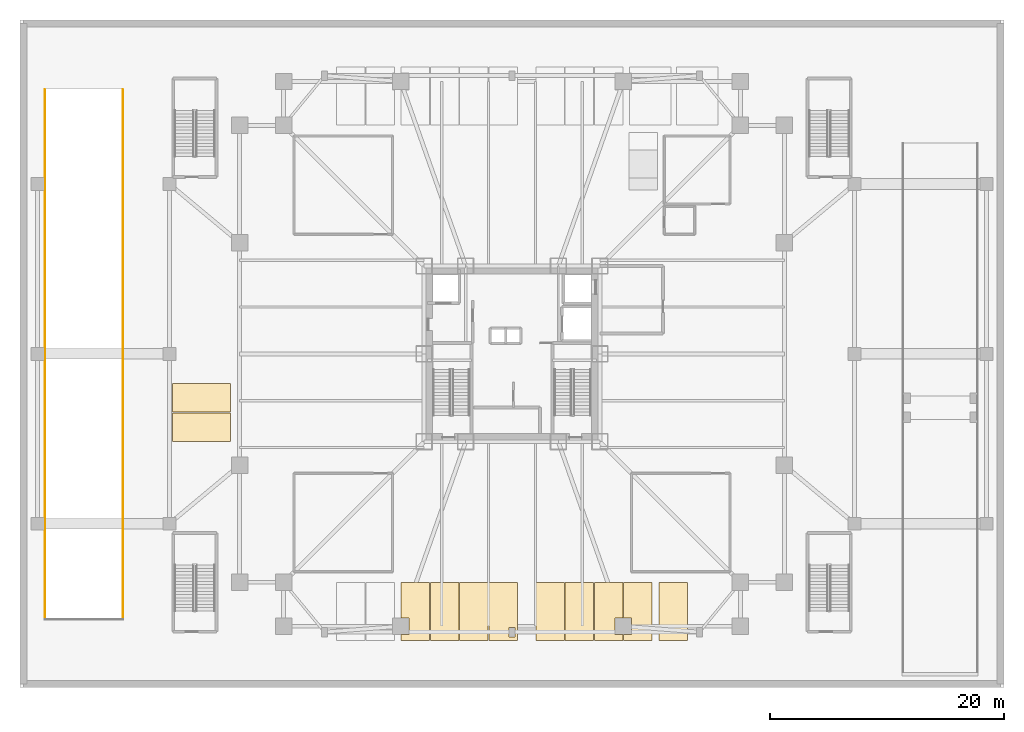
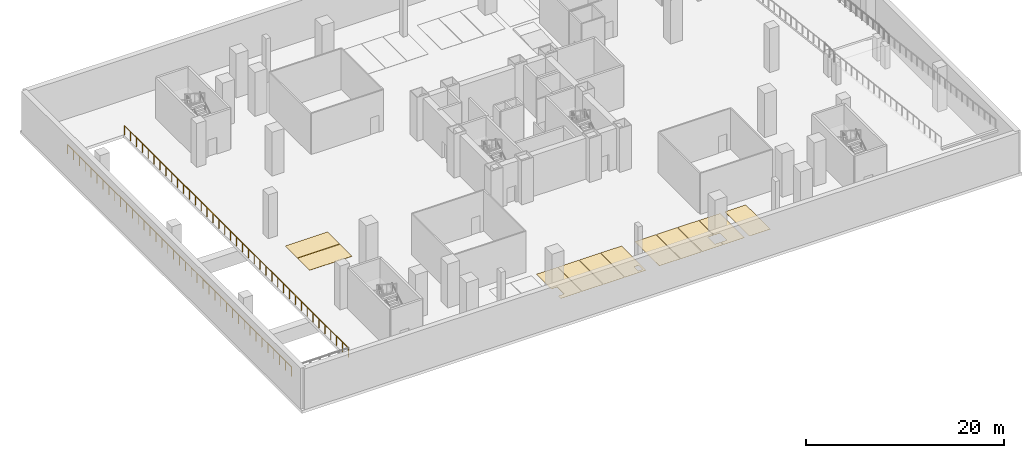
# One storey, part 9 of 14: 11 coverings, 2 railings.
"""IFC4 building model written with IfcOpenShell, lengths in metres."""

from ifc_helpers import new_model, si_unit, direction, frame, origin, origin_2d, place, context, subcontext, project, spatial, polyline, circle, outline, extrude, material, layer, layer_set, type_object, element, save


model = new_model("IFC4")

# Units and contexts
model_context = context("Model", 3, precision=1e-05, world=origin(), true_north=direction((0.0, 1.0)))
body_context = subcontext(model_context, "Body", "Model", "MODEL_VIEW")
ifc_project = project(units=[si_unit("LENGTHUNIT", "METRE"), si_unit("AREAUNIT", "SQUARE_METRE"), si_unit("VOLUMEUNIT", "CUBIC_METRE"), si_unit("PLANEANGLEUNIT", "RADIAN"), si_unit("MASSUNIT", "GRAM", prefix="KILO")], contexts=[model_context])

# Site, building, storey
site_placement = place(None, origin())
site = spatial("IfcSite", under=ifc_project, at=site_placement, CompositionType="ELEMENT")
building_placement = place(site_placement, origin())
building = spatial("IfcBuilding", under=site, at=building_placement, Name="Trevonay Congress Spire", CompositionType="ELEMENT")
storey_placement = place(building_placement, frame((0.0, 0.0, -5.39990234375)))
storey = spatial("IfcBuildingStorey", under=building, at=storey_placement, Name="B1", CompositionType="ELEMENT", Elevation=-5.39990234375)

# Coverings
ifc_material_1 = material(Name="Polished Granite Floor Tile", Category="masonry")
ifc_layer = layer(ifc_material_1, 0.02001953125, Name="Polished Granite Floor Tile")
ifc_layer_set = layer_set([ifc_layer], Name="Polished Granite Floor Tile")
covering_type = type_object("IfcCoveringType", Name="COV-FLOOR-STONE", PredefinedType="FLOORING", material=ifc_layer_set)
covering_1_placement = place(storey_placement, origin())
element("IfcCovering", 1, at=covering_1_placement, inside=storey, type_object=covering_type, Name="B1 Standard Parking Bay PK-27 floor finish", PredefinedType="FLOORING", context=body_context, shape_type="SweptSolid", body=[
    extrude(outline(polyline([(-9.469970703125, -19.530029296875), (-7.030029296875, -19.530029296875), (-7.030029296875, -24.469970703125), (-9.469970703125, -24.469970703125), (-9.469970703125, -23.9599609375), (-8.7900390625, -23.9599609375), (-8.7900390625, -22.5400390625), (-9.469970703125, -22.5400390625), (-9.469970703125, -19.530029296875)])), origin(), (0.0, 0.0, 1.0), 0.02001953125),
])
covering_2_placement = place(storey_placement, origin())
element("IfcCovering", 2, at=covering_2_placement, inside=storey, type_object=covering_type, Name="B1 Standard Parking Bay PK-28 floor finish", PredefinedType="FLOORING", context=body_context, shape_type="SweptSolid", body=[
    extrude(outline(polyline([(-6.969970703125, -24.469970703125), (-4.530029296875, -24.469970703125), (-4.530029296875, -19.530029296875), (-6.969970703125, -19.530029296875), (-6.969970703125, -24.469970703125)])), origin(), (0.0, 0.0, 1.0), 0.02001953125),
])
covering_3_placement = place(storey_placement, origin())
element("IfcCovering", 3, at=covering_3_placement, inside=storey, type_object=covering_type, Name="B1 Standard Parking Bay PK-29 floor finish", PredefinedType="FLOORING", context=body_context, shape_type="SweptSolid", body=[
    extrude(outline(polyline([(-4.469970703125, -24.469970703125), (-2.030029296875, -24.469970703125), (-2.030029296875, -19.530029296875), (-4.469970703125, -19.530029296875), (-4.469970703125, -24.469970703125)])), origin(), (0.0, 0.0, 1.0), 0.02001953125),
])
covering_4_placement = place(storey_placement, origin())
element("IfcCovering", 4, at=covering_4_placement, inside=storey, type_object=covering_type, Name="B1 Standard Parking Bay PK-30 floor finish", PredefinedType="FLOORING", context=body_context, shape_type="SweptSolid", body=[
    extrude(outline(polyline([(-1.969970703125, -19.530029296875), (0.469970703125, -19.530029296875), (0.469970703125, -24.469970703125), (-1.969970703125, -24.469970703125), (-1.969970703125, -19.530029296875)]), holes=[polyline([(0.260009765625, -24.159912109375), (0.260009765625, -23.340087890625), (-0.260009765625, -23.340087890625), (-0.260009765625, -24.159912109375), (0.260009765625, -24.159912109375)])]), origin(), (0.0, 0.0, 1.0), 0.02001953125),
])
covering_5_placement = place(storey_placement, origin())
element("IfcCovering", 5, at=covering_5_placement, inside=storey, type_object=covering_type, Name="B1 Standard Parking Bay PK-31 floor finish", PredefinedType="FLOORING", context=body_context, shape_type="SweptSolid", body=[
    extrude(outline(polyline([(2.030029296875, -24.469970703125), (4.469970703125, -24.469970703125), (4.469970703125, -19.530029296875), (2.030029296875, -19.530029296875), (2.030029296875, -24.469970703125)])), origin(), (0.0, 0.0, 1.0), 0.02001953125),
])
covering_6_placement = place(storey_placement, origin())
element("IfcCovering", 6, at=covering_6_placement, inside=storey, type_object=covering_type, Name="B1 Standard Parking Bay PK-32 floor finish", PredefinedType="FLOORING", context=body_context, shape_type="SweptSolid", body=[
    extrude(outline(polyline([(4.530029296875, -24.469970703125), (6.969970703125, -24.469970703125), (6.969970703125, -19.530029296875), (4.530029296875, -19.530029296875), (4.530029296875, -24.469970703125)])), origin(), (0.0, 0.0, 1.0), 0.02001953125),
])
covering_7_placement = place(storey_placement, origin())
element("IfcCovering", 7, at=covering_7_placement, inside=storey, type_object=covering_type, Name="B1 Standard Parking Bay PK-33 floor finish", PredefinedType="FLOORING", context=body_context, shape_type="SweptSolid", body=[
    extrude(outline(polyline([(9.469970703125, -24.469970703125), (7.030029296875, -24.469970703125), (7.030029296875, -19.530029296875), (9.469970703125, -19.530029296875), (9.469970703125, -22.5400390625), (8.7900390625, -22.5400390625), (8.7900390625, -23.9599609375), (9.469970703125, -23.9599609375), (9.469970703125, -24.469970703125)])), origin(), (0.0, 0.0, 1.0), 0.02001953125),
])
covering_8_placement = place(storey_placement, origin())
element("IfcCovering", 8, at=covering_8_placement, inside=storey, type_object=covering_type, Name="B1 Standard Parking Bay PK-34 floor finish", PredefinedType="FLOORING", context=body_context, shape_type="SweptSolid", body=[
    extrude(outline(polyline([(9.530029296875, -19.530029296875), (11.969970703125, -19.530029296875), (11.969970703125, -24.469970703125), (9.530029296875, -24.469970703125), (9.530029296875, -23.9599609375), (10.2099609375, -23.9599609375), (10.2099609375, -22.5400390625), (9.530029296875, -22.5400390625), (9.530029296875, -19.530029296875)])), origin(), (0.0, 0.0, 1.0), 0.02001953125),
])
covering_9_placement = place(storey_placement, origin())
element("IfcCovering", 9, at=covering_9_placement, inside=storey, type_object=covering_type, Name="B1 Standard Parking Bay PK-35 floor finish", PredefinedType="FLOORING", context=body_context, shape_type="SweptSolid", body=[
    extrude(outline(polyline([(12.530029296875, -24.469970703125), (14.969970703125, -24.469970703125), (14.969970703125, -19.530029296875), (12.530029296875, -19.530029296875), (12.530029296875, -24.469970703125)])), origin(), (0.0, 0.0, 1.0), 0.02001953125),
])
covering_10_placement = place(storey_placement, origin())
element("IfcCovering", 10, at=covering_10_placement, inside=storey, type_object=covering_type, Name="B1 Standard Parking Bay PK-47 floor finish", PredefinedType="FLOORING", context=body_context, shape_type="SweptSolid", body=[
    extrude(outline(polyline([(-28.969970703125, -7.469970703125), (-24.030029296875, -7.469970703125), (-24.030029296875, -5.030029296875), (-28.969970703125, -5.030029296875), (-28.969970703125, -7.469970703125)])), origin(), (0.0, 0.0, 1.0), 0.02001953125),
])
covering_11_placement = place(storey_placement, origin())
element("IfcCovering", 11, at=covering_11_placement, inside=storey, type_object=covering_type, Name="B1 Standard Parking Bay PK-48 floor finish", PredefinedType="FLOORING", context=body_context, shape_type="SweptSolid", body=[
    extrude(outline(polyline([(-28.969970703125, -4.969970703125), (-24.030029296875, -4.969970703125), (-24.030029296875, -2.530029296875), (-28.969970703125, -2.530029296875), (-28.969970703125, -4.969970703125)])), origin(), (0.0, 0.0, 1.0), 0.02001953125),
])

# Railings
ifc_material_2 = material(Name="Pale Anodised Aluminium EN AW-6063-T6", Category="aluminium")
railing_type = type_object("IfcRailingType", Name="RAL-EXT-GUARD-115", PredefinedType="GUARDRAIL", material=ifc_material_2)
railing_1_placement = place(storey_placement, frame((-39.8798828125, 22.550048828125, 0.0)))
element("IfcRailing", 12, at=railing_1_placement, inside=storey, type_object=railing_type, Name="B1 perimeter safety guard GRD-B1-RAMPWELL-1", PredefinedType="GUARDRAIL", context=body_context, shape_type="SweptSolid", body=[
    extrude(circle(Radius=0.02392578125, at=origin_2d()), frame((0.0, 0.0, 1.1259765625), z_axis=(0.0, -1.0, 0.0), x_axis=(1.0, 0.0, 0.0)), (0.0, 0.0, 1.0), 45.22998046875),
    extrude(circle(Radius=0.02099609375, at=origin_2d()), origin(), (0.0, 0.0, 1.0), 1.101806640625),
    extrude(circle(Radius=0.02099609375, at=origin_2d()), frame((0.0, -1.190185546875, 0.0)), (0.0, 0.0, 1.0), 1.101806640625),
    extrude(circle(Radius=0.02099609375, at=origin_2d()), frame((0.0, -2.380615234375, 0.0)), (0.0, 0.0, 1.0), 1.101806640625),
    extrude(circle(Radius=0.02099609375, at=origin_2d()), frame((0.0, -3.57080078125, 0.0)), (0.0, 0.0, 1.0), 1.101806640625),
    extrude(circle(Radius=0.02099609375, at=origin_2d()), frame((0.0, -4.760986328125, 0.0)), (0.0, 0.0, 1.0), 1.101806640625),
    extrude(circle(Radius=0.02099609375, at=origin_2d()), frame((0.0, -5.951416015625, 0.0)), (0.0, 0.0, 1.0), 1.101806640625),
    extrude(circle(Radius=0.02099609375, at=origin_2d()), frame((0.0, -7.1416015625, 0.0)), (0.0, 0.0, 1.0), 1.101806640625),
    extrude(circle(Radius=0.02099609375, at=origin_2d()), frame((0.0, -8.331787109375, 0.0)), (0.0, 0.0, 1.0), 1.101806640625),
    extrude(circle(Radius=0.02099609375, at=origin_2d()), frame((0.0, -9.522216796875, 0.0)), (0.0, 0.0, 1.0), 1.101806640625),
    extrude(circle(Radius=0.02099609375, at=origin_2d()), frame((0.0, -10.71240234375, 0.0)), (0.0, 0.0, 1.0), 1.101806640625),
    extrude(circle(Radius=0.02099609375, at=origin_2d()), frame((0.0, -11.902587890625, 0.0)), (0.0, 0.0, 1.0), 1.101806640625),
    extrude(circle(Radius=0.02099609375, at=origin_2d()), frame((0.0, -13.0927734375, 0.0)), (0.0, 0.0, 1.0), 1.101806640625),
    extrude(circle(Radius=0.02099609375, at=origin_2d()), frame((0.0, -14.283203125, 0.0)), (0.0, 0.0, 1.0), 1.101806640625),
    extrude(circle(Radius=0.02099609375, at=origin_2d()), frame((0.0, -15.473388671875, 0.0)), (0.0, 0.0, 1.0), 1.101806640625),
    extrude(circle(Radius=0.02099609375, at=origin_2d()), frame((0.0, -16.66357421875, 0.0)), (0.0, 0.0, 1.0), 1.101806640625),
    extrude(circle(Radius=0.02099609375, at=origin_2d()), frame((0.0, -17.85400390625, 0.0)), (0.0, 0.0, 1.0), 1.101806640625),
    extrude(circle(Radius=0.02099609375, at=origin_2d()), frame((0.0, -19.044189453125, 0.0)), (0.0, 0.0, 1.0), 1.101806640625),
    extrude(circle(Radius=0.02099609375, at=origin_2d()), frame((0.0, -20.234375, 0.0)), (0.0, 0.0, 1.0), 1.101806640625),
    extrude(circle(Radius=0.02099609375, at=origin_2d()), frame((0.0, -21.4248046875, 0.0)), (0.0, 0.0, 1.0), 1.101806640625),
    extrude(circle(Radius=0.02099609375, at=origin_2d()), frame((0.0, -22.614990234375, 0.0)), (0.0, 0.0, 1.0), 1.101806640625),
    extrude(circle(Radius=0.02099609375, at=origin_2d()), frame((0.0, -23.80517578125, 0.0)), (0.0, 0.0, 1.0), 1.101806640625),
    extrude(circle(Radius=0.02099609375, at=origin_2d()), frame((0.0, -24.99560546875, 0.0)), (0.0, 0.0, 1.0), 1.101806640625),
    extrude(circle(Radius=0.02099609375, at=origin_2d()), frame((0.0, -26.185791015625, 0.0)), (0.0, 0.0, 1.0), 1.101806640625),
    extrude(circle(Radius=0.02099609375, at=origin_2d()), frame((0.0, -27.3759765625, 0.0)), (0.0, 0.0, 1.0), 1.101806640625),
    extrude(circle(Radius=0.02099609375, at=origin_2d()), frame((0.0, -28.56640625, 0.0)), (0.0, 0.0, 1.0), 1.101806640625),
    extrude(circle(Radius=0.02099609375, at=origin_2d()), frame((0.0, -29.756591796875, 0.0)), (0.0, 0.0, 1.0), 1.101806640625),
    extrude(circle(Radius=0.02099609375, at=origin_2d()), frame((0.0, -30.94677734375, 0.0)), (0.0, 0.0, 1.0), 1.101806640625),
    extrude(circle(Radius=0.02099609375, at=origin_2d()), frame((0.0, -32.13720703125, 0.0)), (0.0, 0.0, 1.0), 1.101806640625),
    extrude(circle(Radius=0.02099609375, at=origin_2d()), frame((0.0, -33.327392578125, 0.0)), (0.0, 0.0, 1.0), 1.101806640625),
    extrude(circle(Radius=0.02099609375, at=origin_2d()), frame((0.0, -34.517578125, 0.0)), (0.0, 0.0, 1.0), 1.101806640625),
    extrude(circle(Radius=0.02099609375, at=origin_2d()), frame((0.0, -35.707763671875, 0.0)), (0.0, 0.0, 1.0), 1.101806640625),
    extrude(circle(Radius=0.02099609375, at=origin_2d()), frame((0.0, -36.898193359375, 0.0)), (0.0, 0.0, 1.0), 1.101806640625),
    extrude(circle(Radius=0.02099609375, at=origin_2d()), frame((0.0, -38.08837890625, 0.0)), (0.0, 0.0, 1.0), 1.101806640625),
    extrude(circle(Radius=0.02099609375, at=origin_2d()), frame((0.0, -39.278564453125, 0.0)), (0.0, 0.0, 1.0), 1.101806640625),
    extrude(circle(Radius=0.02099609375, at=origin_2d()), frame((0.0, -40.468994140625, 0.0)), (0.0, 0.0, 1.0), 1.101806640625),
    extrude(circle(Radius=0.02099609375, at=origin_2d()), frame((0.0, -41.6591796875, 0.0)), (0.0, 0.0, 1.0), 1.101806640625),
    extrude(circle(Radius=0.02099609375, at=origin_2d()), frame((0.0, -42.849365234375, 0.0)), (0.0, 0.0, 1.0), 1.101806640625),
    extrude(circle(Radius=0.02099609375, at=origin_2d()), frame((0.0, -44.039794921875, 0.0)), (0.0, 0.0, 1.0), 1.101806640625),
    extrude(circle(Radius=0.02099609375, at=origin_2d()), frame((0.0, -45.22998046875, 0.0)), (0.0, 0.0, 1.0), 1.101806640625),
])
railing_2_placement = place(storey_placement, frame((-33.219970703125, -22.679931640625, 0.0)))
element("IfcRailing", 13, at=railing_2_placement, inside=storey, type_object=railing_type, Name="B1 perimeter safety guard GRD-B1-RAMPWELL-3", PredefinedType="GUARDRAIL", context=body_context, shape_type="SweptSolid", body=[
    extrude(circle(Radius=0.02392578125, at=origin_2d()), frame((0.0, 0.0, 1.1259765625), z_axis=(0.0, 1.0, 0.0), x_axis=(-1.0, 0.0, 0.0)), (0.0, 0.0, 1.0), 45.22998046875),
    extrude(circle(Radius=0.02099609375, at=origin_2d()), origin(), (0.0, 0.0, 1.0), 1.101806640625),
    extrude(circle(Radius=0.02099609375, at=origin_2d()), frame((0.0, 1.190185546875, 0.0)), (0.0, 0.0, 1.0), 1.101806640625),
    extrude(circle(Radius=0.02099609375, at=origin_2d()), frame((0.0, 2.380615234375, 0.0)), (0.0, 0.0, 1.0), 1.101806640625),
    extrude(circle(Radius=0.02099609375, at=origin_2d()), frame((0.0, 3.57080078125, 0.0)), (0.0, 0.0, 1.0), 1.101806640625),
    extrude(circle(Radius=0.02099609375, at=origin_2d()), frame((0.0, 4.760986328125, 0.0)), (0.0, 0.0, 1.0), 1.101806640625),
    extrude(circle(Radius=0.02099609375, at=origin_2d()), frame((0.0, 5.951416015625, 0.0)), (0.0, 0.0, 1.0), 1.101806640625),
    extrude(circle(Radius=0.02099609375, at=origin_2d()), frame((0.0, 7.1416015625, 0.0)), (0.0, 0.0, 1.0), 1.101806640625),
    extrude(circle(Radius=0.02099609375, at=origin_2d()), frame((0.0, 8.331787109375, 0.0)), (0.0, 0.0, 1.0), 1.101806640625),
    extrude(circle(Radius=0.02099609375, at=origin_2d()), frame((0.0, 9.522216796875, 0.0)), (0.0, 0.0, 1.0), 1.101806640625),
    extrude(circle(Radius=0.02099609375, at=origin_2d()), frame((0.0, 10.71240234375, 0.0)), (0.0, 0.0, 1.0), 1.101806640625),
    extrude(circle(Radius=0.02099609375, at=origin_2d()), frame((0.0, 11.902587890625, 0.0)), (0.0, 0.0, 1.0), 1.101806640625),
    extrude(circle(Radius=0.02099609375, at=origin_2d()), frame((0.0, 13.0927734375, 0.0)), (0.0, 0.0, 1.0), 1.101806640625),
    extrude(circle(Radius=0.02099609375, at=origin_2d()), frame((0.0, 14.283203125, 0.0)), (0.0, 0.0, 1.0), 1.101806640625),
    extrude(circle(Radius=0.02099609375, at=origin_2d()), frame((0.0, 15.473388671875, 0.0)), (0.0, 0.0, 1.0), 1.101806640625),
    extrude(circle(Radius=0.02099609375, at=origin_2d()), frame((0.0, 16.66357421875, 0.0)), (0.0, 0.0, 1.0), 1.101806640625),
    extrude(circle(Radius=0.02099609375, at=origin_2d()), frame((0.0, 17.85400390625, 0.0)), (0.0, 0.0, 1.0), 1.101806640625),
    extrude(circle(Radius=0.02099609375, at=origin_2d()), frame((0.0, 19.044189453125, 0.0)), (0.0, 0.0, 1.0), 1.101806640625),
    extrude(circle(Radius=0.02099609375, at=origin_2d()), frame((0.0, 20.234375, 0.0)), (0.0, 0.0, 1.0), 1.101806640625),
    extrude(circle(Radius=0.02099609375, at=origin_2d()), frame((0.0, 21.4248046875, 0.0)), (0.0, 0.0, 1.0), 1.101806640625),
    extrude(circle(Radius=0.02099609375, at=origin_2d()), frame((0.0, 22.614990234375, 0.0)), (0.0, 0.0, 1.0), 1.101806640625),
    extrude(circle(Radius=0.02099609375, at=origin_2d()), frame((0.0, 23.80517578125, 0.0)), (0.0, 0.0, 1.0), 1.101806640625),
    extrude(circle(Radius=0.02099609375, at=origin_2d()), frame((0.0, 24.99560546875, 0.0)), (0.0, 0.0, 1.0), 1.101806640625),
    extrude(circle(Radius=0.02099609375, at=origin_2d()), frame((0.0, 26.185791015625, 0.0)), (0.0, 0.0, 1.0), 1.101806640625),
    extrude(circle(Radius=0.02099609375, at=origin_2d()), frame((0.0, 27.3759765625, 0.0)), (0.0, 0.0, 1.0), 1.101806640625),
    extrude(circle(Radius=0.02099609375, at=origin_2d()), frame((0.0, 28.56640625, 0.0)), (0.0, 0.0, 1.0), 1.101806640625),
    extrude(circle(Radius=0.02099609375, at=origin_2d()), frame((0.0, 29.756591796875, 0.0)), (0.0, 0.0, 1.0), 1.101806640625),
    extrude(circle(Radius=0.02099609375, at=origin_2d()), frame((0.0, 30.94677734375, 0.0)), (0.0, 0.0, 1.0), 1.101806640625),
    extrude(circle(Radius=0.02099609375, at=origin_2d()), frame((0.0, 32.13720703125, 0.0)), (0.0, 0.0, 1.0), 1.101806640625),
    extrude(circle(Radius=0.02099609375, at=origin_2d()), frame((0.0, 33.327392578125, 0.0)), (0.0, 0.0, 1.0), 1.101806640625),
    extrude(circle(Radius=0.02099609375, at=origin_2d()), frame((0.0, 34.517578125, 0.0)), (0.0, 0.0, 1.0), 1.101806640625),
    extrude(circle(Radius=0.02099609375, at=origin_2d()), frame((0.0, 35.707763671875, 0.0)), (0.0, 0.0, 1.0), 1.101806640625),
    extrude(circle(Radius=0.02099609375, at=origin_2d()), frame((0.0, 36.898193359375, 0.0)), (0.0, 0.0, 1.0), 1.101806640625),
    extrude(circle(Radius=0.02099609375, at=origin_2d()), frame((0.0, 38.08837890625, 0.0)), (0.0, 0.0, 1.0), 1.101806640625),
    extrude(circle(Radius=0.02099609375, at=origin_2d()), frame((0.0, 39.278564453125, 0.0)), (0.0, 0.0, 1.0), 1.101806640625),
    extrude(circle(Radius=0.02099609375, at=origin_2d()), frame((0.0, 40.468994140625, 0.0)), (0.0, 0.0, 1.0), 1.101806640625),
    extrude(circle(Radius=0.02099609375, at=origin_2d()), frame((0.0, 41.6591796875, 0.0)), (0.0, 0.0, 1.0), 1.101806640625),
    extrude(circle(Radius=0.02099609375, at=origin_2d()), frame((0.0, 42.849365234375, 0.0)), (0.0, 0.0, 1.0), 1.101806640625),
    extrude(circle(Radius=0.02099609375, at=origin_2d()), frame((0.0, 44.039794921875, 0.0)), (0.0, 0.0, 1.0), 1.101806640625),
    extrude(circle(Radius=0.02099609375, at=origin_2d()), frame((0.0, 45.22998046875, 0.0)), (0.0, 0.0, 1.0), 1.101806640625),
])

save(model, "model.ifc")
